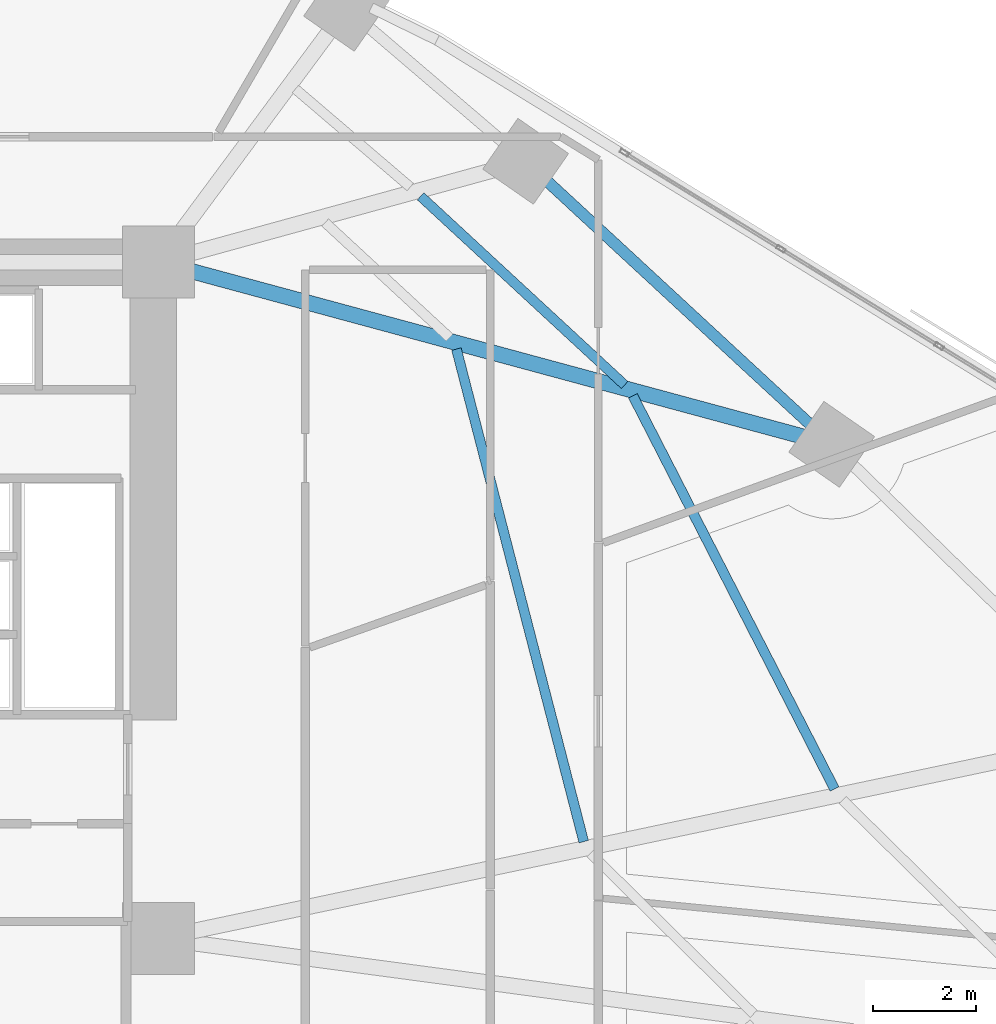
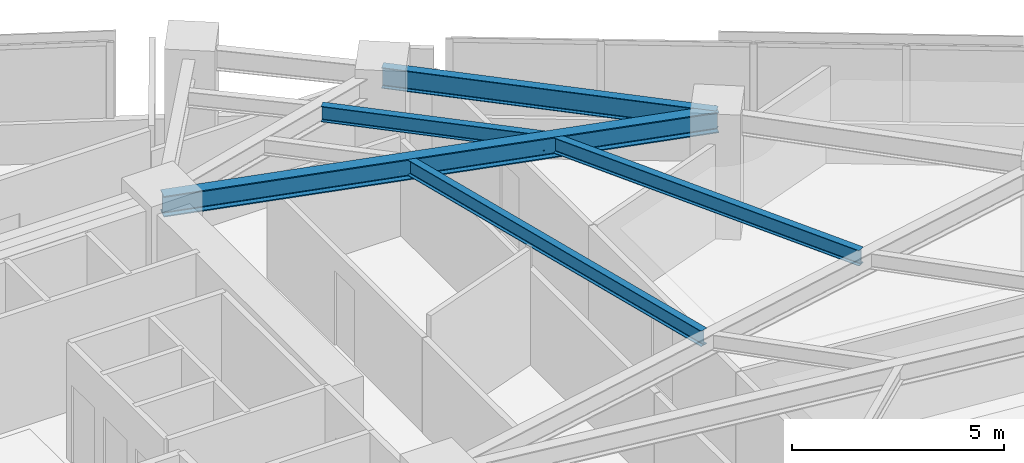
# One storey, part 5 of 18: 5 beams.
"""IFC4 building model written with IfcOpenShell, lengths in metres."""

from ifc_helpers import new_model, si_unit, direction, frame, origin, origin_2d, place, context, subcontext, project, spatial, i_section, extrude, material, material_profile, profile_set, type_object, element, save


model = new_model("IFC4")

# Units and contexts
model_context = context("Model", 3, precision=1e-05, world=origin(), true_north=direction((0.0, 1.0)))
body_context = subcontext(model_context, "Body", "Model", "MODEL_VIEW")
ifc_project = project(units=[si_unit("LENGTHUNIT", "METRE"), si_unit("AREAUNIT", "SQUARE_METRE"), si_unit("VOLUMEUNIT", "CUBIC_METRE"), si_unit("PLANEANGLEUNIT", "RADIAN"), si_unit("MASSUNIT", "GRAM", prefix="KILO")], contexts=[model_context])

# Site, building, storey
site_placement = place(None, origin())
site = spatial("IfcSite", under=ifc_project, at=site_placement, CompositionType="ELEMENT")
building_placement = place(site_placement, origin())
building = spatial("IfcBuilding", under=site, at=building_placement, Name="Narakoshi Arena Tower", CompositionType="ELEMENT")
storey_placement = place(building_placement, frame((0.0, 0.0, 95.699951171875)))
storey = spatial("IfcBuildingStorey", under=building, at=storey_placement, Name="L25", CompositionType="ELEMENT", Elevation=95.699951171875)

# Beams
ifc_material = material(Name="Structural steel S355J2", Category="steel")
ifc_material_profile_1 = material_profile(ifc_material, i_section(OverallWidth=0.219970703125, OverallDepth=0.60009765625, WebThickness=0.011962890625, FlangeThickness=0.01904296875, FilletRadius=0.02392578125, at=origin_2d()), Name="IPE600")
ifc_profile_set_1 = profile_set([ifc_material_profile_1], Name="Structural steel S355J2")
beam_type_1 = type_object("IfcBeamType", Name="BM-EDGE-600", PredefinedType="BEAM", material=ifc_profile_set_1)
beam_1_placement = place(storey_placement, frame((98.641357421875, 52.95849609375, 3.0400390625), z_axis=(-0.734140347065, 0.678997754643, 0.0), x_axis=(-0.678997754643, -0.734140347065, 0.0)))
element("IfcBeam", 1, at=beam_1_placement, inside=storey, type_object=beam_type_1, Name="L25 Perimeter Edge Girder 06", PredefinedType="BEAM", context=body_context, shape_type="SweptSolid", body=[
    extrude(i_section(OverallWidth=0.219970703125, OverallDepth=0.60009765625, WebThickness=0.011962890625, FlangeThickness=0.01904296875, FilletRadius=0.02392578125, at=origin_2d()), origin(), (0.0, 0.0, 1.0), 8.106689453125),
])
ifc_material_profile_2 = material_profile(ifc_material, i_section(OverallWidth=0.300048828125, OverallDepth=0.60009765625, WebThickness=0.015380859375, FlangeThickness=0.030029296875, FilletRadius=0.027099609375, at=origin_2d()), Name="HE600B")
ifc_profile_set_2 = profile_set([ifc_material_profile_2], Name="Structural steel S355J2")
beam_type_2 = type_object("IfcBeamType", Name="BM-PRI-600", PredefinedType="BEAM", material=ifc_profile_set_2)
beam_2_placement = place(storey_placement, frame((85.550048828125, 56.5, 3.0400390625), z_axis=(0.965301848216, -0.261136634408, 0.0), x_axis=(0.261136634408, 0.965301848216, 0.0)))
element("IfcBeam", 2, at=beam_2_placement, inside=storey, type_object=beam_type_2, Name="L25 Radial Primary Floor Girder 06", PredefinedType="BEAM", context=body_context, shape_type="SweptSolid", body=[
    extrude(i_section(OverallWidth=0.300048828125, OverallDepth=0.60009765625, WebThickness=0.015380859375, FlangeThickness=0.030029296875, FilletRadius=0.027099609375, at=origin_2d()), origin(), (0.0, 0.0, 1.0), 13.561767578125),
])
ifc_material_profile_3 = material_profile(ifc_material, i_section(OverallWidth=0.18994140625, OverallDepth=0.449951171875, WebThickness=0.009521484375, FlangeThickness=0.0146484375, FilletRadius=0.02099609375, at=origin_2d()), Name="IPE450")
ifc_profile_set_3 = profile_set([ifc_material_profile_3], Name="Structural steel S355J2")
beam_type_3 = type_object("IfcBeamType", Name="BM-SEC-450", PredefinedType="JOIST", material=ifc_profile_set_3)
beam_3_placement = place(storey_placement, frame((93.819091796875, 45.232177734375, 3.114990234375), z_axis=(-0.250175045667, 0.968200623076, 0.0), x_axis=(-0.968200623076, -0.250175045667, 0.0)))
element("IfcBeam", 3, at=beam_3_placement, inside=storey, type_object=beam_type_3, Name="L25 Composite Secondary Floor Joist 04", PredefinedType="JOIST", context=body_context, shape_type="SweptSolid", body=[
    extrude(i_section(OverallWidth=0.18994140625, OverallDepth=0.449951171875, WebThickness=0.009521484375, FlangeThickness=0.0146484375, FilletRadius=0.02099609375, at=origin_2d()), origin(), (0.0, 0.0, 1.0), 9.8935546875),
])
beam_4_placement = place(storey_placement, frame((98.69775390625, 46.256591796875, 3.114990234375), z_axis=(-0.45649835957, 0.88972425375, 0.0), x_axis=(-0.88972425375, -0.45649835957, 0.0)))
element("IfcBeam", 4, at=beam_4_placement, inside=storey, type_object=beam_type_3, Name="L25 Composite Secondary Floor Joist 05", PredefinedType="JOIST", context=body_context, shape_type="SweptSolid", body=[
    extrude(i_section(OverallWidth=0.18994140625, OverallDepth=0.449951171875, WebThickness=0.009521484375, FlangeThickness=0.0146484375, FilletRadius=0.02099609375, at=origin_2d()), origin(), (0.0, 0.0, 1.0), 8.591796875),
])
beam_5_placement = place(storey_placement, frame((94.614990234375, 54.11279296875, 3.114990234375), z_axis=(-0.734167550232, 0.678968341078, 0.0), x_axis=(-0.678968341078, -0.734167550232, 0.0)))
element("IfcBeam", 5, at=beam_5_placement, inside=storey, type_object=beam_type_3, Name="L25 Composite Secondary Floor Joist 07", PredefinedType="JOIST", context=body_context, shape_type="SweptSolid", body=[
    extrude(i_section(OverallWidth=0.18994140625, OverallDepth=0.449951171875, WebThickness=0.009521484375, FlangeThickness=0.0146484375, FilletRadius=0.02099609375, at=origin_2d()), origin(), (0.0, 0.0, 1.0), 5.40478515625),
])

save(model, "model.ifc")
